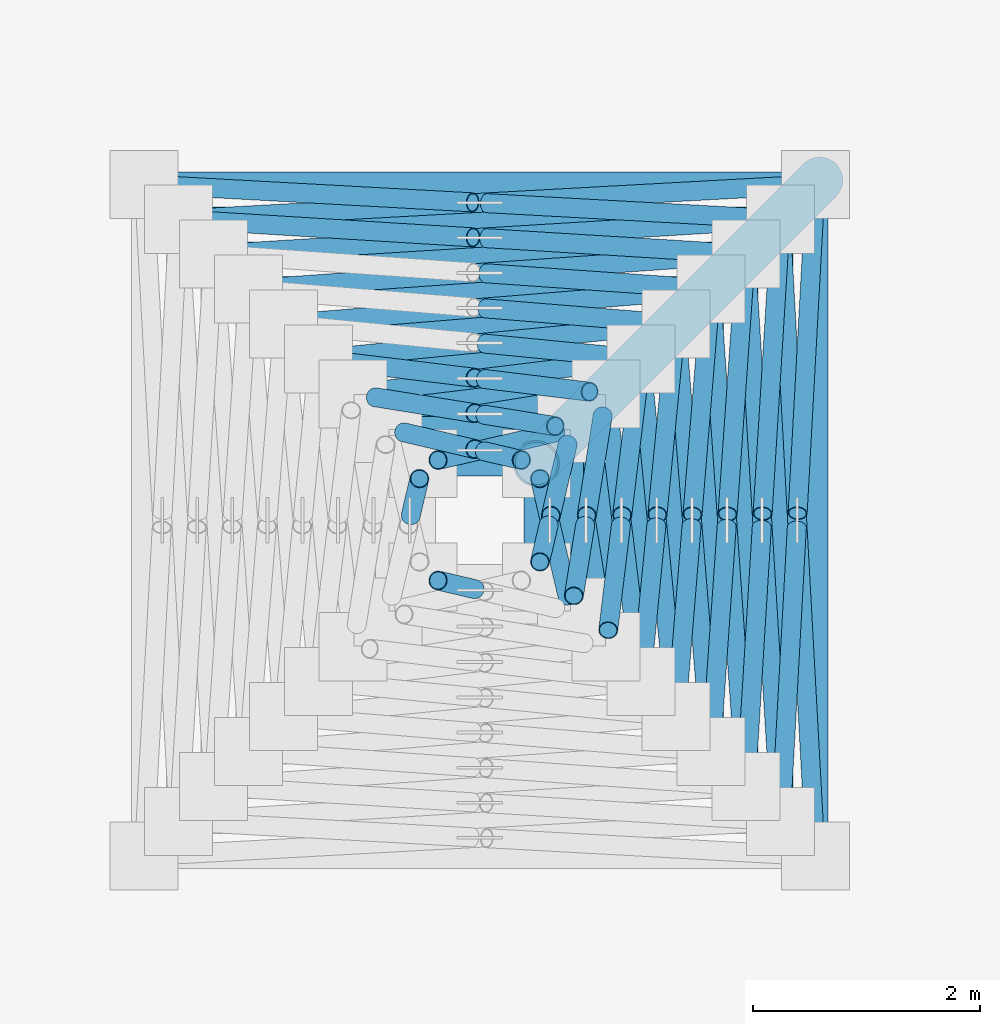
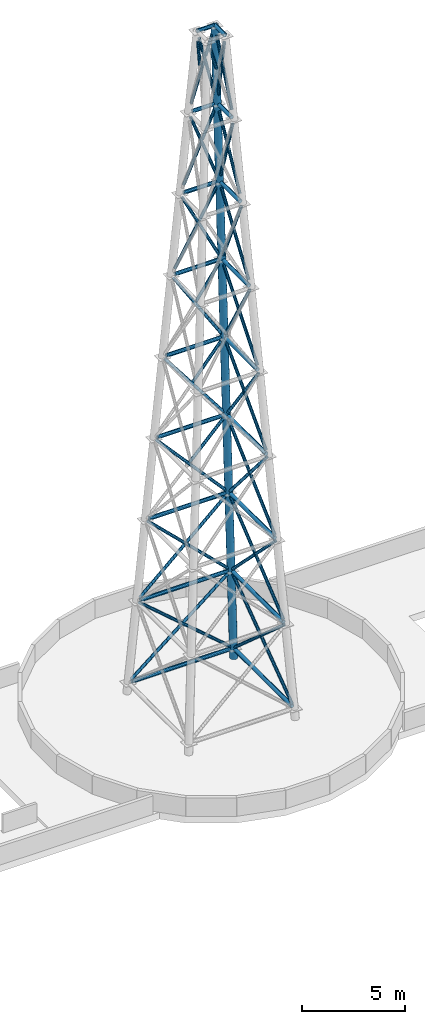
# One storey, part 2 of 6: 66 members.
"""IFC4 building model written with IfcOpenShell, lengths in metres."""

from ifc_helpers import new_model, si_unit, direction, frame, origin, origin_2d, place, context, subcontext, project, spatial, hollow_circle, extrude, source, transform, mapped, material, material_profile, profile_set, type_object, element, save


model = new_model("IFC4")

# Units and contexts
model_context = context("Model", 3, precision=1e-05, world=origin(), true_north=direction((0.0, 1.0)))
body_context = subcontext(model_context, "Body", "Model", "MODEL_VIEW")
ifc_project = project(units=[si_unit("LENGTHUNIT", "METRE"), si_unit("AREAUNIT", "SQUARE_METRE"), si_unit("VOLUMEUNIT", "CUBIC_METRE"), si_unit("PLANEANGLEUNIT", "RADIAN"), si_unit("MASSUNIT", "GRAM", prefix="KILO")], contexts=[model_context])

# Site, building, storey
site_placement = place(None, origin())
site = spatial("IfcSite", under=ifc_project, at=site_placement, CompositionType="ELEMENT")
building_placement = place(site_placement, origin())
building = spatial("IfcBuilding", under=site, at=building_placement, Name="Kilnfold Tower and Market Hall", CompositionType="ELEMENT")
storey_placement = place(building_placement, frame((0.0, 0.0, 328.800048828125)))
storey = spatial("IfcBuildingStorey", under=building, at=storey_placement, Name="ROOF", CompositionType="ELEMENT", Elevation=328.800048828125)

# Members
ifc_material_1 = material(Name="Steel S355", Category="steel")
ifc_material_profile_1 = material_profile(ifc_material_1, hollow_circle(Radius=0.203125, WallThickness=0.01611328125, at=origin_2d()), Name="CHS 406.4x16")
ifc_profile_set_1 = profile_set([ifc_material_profile_1], Name="Steel S355")
member_type_1 = type_object("IfcMemberType", Name="MAST LEG CHS 406.4X16", PredefinedType="USERDEFINED", material=ifc_profile_set_1)
shared_shape_1 = source(origin(), body_context, "Body", "SweptSolid", [
    extrude(hollow_circle(Radius=0.203125, WallThickness=0.01611328125, at=origin_2d()), origin(), (0.0, 0.0, 1.0), 40.156005859375),
])
member_1_placement = place(storey_placement, frame((4.0, 18.0, 0.0), z_axis=(-0.062257280636, -0.062257280636, 0.996116490184), x_axis=(0.707106781187, -0.707106781187, 0.0)))
element("IfcMember", 1, at=member_1_placement, inside=storey, type_object=member_type_1, Name="Mast leg 3", ObjectType="MAST", PredefinedType="USERDEFINED", context=body_context, shape_type="MappedRepresentation", body=[
    mapped(shared_shape_1, transform((0.0, 0.0, 0.0))),
])
ifc_material_2 = material(Name="Steel S355", Category="steel")
ifc_material_profile_2 = material_profile(ifc_material_2, hollow_circle(Radius=0.109619140625, WallThickness=0.010009765625, at=origin_2d()), Name="CHS 219.1x10")
ifc_profile_set_2 = profile_set([ifc_material_profile_2], Name="Steel S355")
member_type_2 = type_object("IfcMemberType", Name="CROWN FRAME CHS 219.1X10", PredefinedType="USERDEFINED", material=ifc_profile_set_2)
shared_shape_2 = source(origin(), body_context, "Body", "SweptSolid", [
    extrude(hollow_circle(Radius=0.109619140625, WallThickness=0.010009765625, at=origin_2d()), origin(), (0.0, 0.0, 1.0), 5.5224609375),
])
for number, where, z_axis, x_axis, name in (
    (2, (3.96240234375, 12.23876953125, 0.599853515625), (0.0, 1.0, 0.0), (-1.0, 0.0, 0.0), "Crown frame ring 0 2"),
    (3, (3.76123046875, 17.96240234375, 0.599853515625), (-1.0, 0.0, 0.0), (0.0, -1.0, 0.0), "Crown frame ring 0 3"),
):
    element("IfcMember", number, at=place(storey_placement, frame(where, z_axis=z_axis, x_axis=x_axis)), inside=storey, type_object=member_type_2, Name=name, ObjectType="CROWN FRAME", PredefinedType="USERDEFINED", context=body_context, shape_type="MappedRepresentation", body=[
        mapped(shared_shape_2, transform((0.0, 0.0, 0.0))),
    ])
ifc_material_3 = material(Name="Steel S355", Category="steel")
ifc_material_profile_3 = material_profile(ifc_material_3, hollow_circle(Radius=0.109619140625, WallThickness=0.010009765625, at=origin_2d()), Name="CHS 219.1x10")
ifc_profile_set_3 = profile_set([ifc_material_profile_3], Name="Steel S355")
member_type_3 = type_object("IfcMemberType", Name="MAST RING CHS 219.1X10", PredefinedType="USERDEFINED", material=ifc_profile_set_3)
shared_shape_3 = source(origin(), body_context, "Body", "SweptSolid", [
    extrude(hollow_circle(Radius=0.109619140625, WallThickness=0.010009765625, at=origin_2d()), origin(), (0.0, 0.0, 1.0), 4.9072265625),
])
for number, where, z_axis, x_axis, name in (
    (4, (3.65478515625, 12.54638671875, 5.52490234375), (0.0, 1.0, 0.0), (-1.0, 0.0, 0.0), "Mast ring 1 2"),
    (5, (3.45361328125, 17.65478515625, 5.52490234375), (-1.0, 0.0, 0.0), (0.0, -1.0, 0.0), "Mast ring 1 3"),
):
    element("IfcMember", number, at=place(storey_placement, frame(where, z_axis=z_axis, x_axis=x_axis)), inside=storey, type_object=member_type_3, Name=name, ObjectType="MAST", PredefinedType="USERDEFINED", context=body_context, shape_type="MappedRepresentation", body=[
        mapped(shared_shape_3, transform((0.0, 0.0, 0.0))),
    ])
shared_shape_4 = source(origin(), body_context, "Body", "SweptSolid", [
    extrude(hollow_circle(Radius=0.109619140625, WallThickness=0.010009765625, at=origin_2d()), origin(), (0.0, 0.0, 1.0), 4.29150390625),
])
for number, where, z_axis, x_axis, name in (
    (6, (3.346923828125, 12.854248046875, 10.449951171875), (0.0, 1.0, 0.0), (-1.0, 0.0, 0.0), "Mast ring 2 2"),
    (7, (3.145751953125, 17.346923828125, 10.449951171875), (-1.0, 0.0, 0.0), (0.0, -1.0, 0.0), "Mast ring 2 3"),
):
    element("IfcMember", number, at=place(storey_placement, frame(where, z_axis=z_axis, x_axis=x_axis)), inside=storey, type_object=member_type_3, Name=name, ObjectType="MAST", PredefinedType="USERDEFINED", context=body_context, shape_type="MappedRepresentation", body=[
        mapped(shared_shape_4, transform((0.0, 0.0, 0.0))),
    ])
shared_shape_5 = source(origin(), body_context, "Body", "SweptSolid", [
    extrude(hollow_circle(Radius=0.109619140625, WallThickness=0.010009765625, at=origin_2d()), origin(), (0.0, 0.0, 1.0), 3.67578125),
])
for number, where, z_axis, x_axis, name in (
    (8, (3.0390625, 13.162109375, 15.375), (0.0, 1.0, 0.0), (-1.0, 0.0, 0.0), "Mast ring 3 2"),
    (9, (2.837890625, 17.0390625, 15.375), (-1.0, 0.0, 0.0), (0.0, -1.0, 0.0), "Mast ring 3 3"),
):
    element("IfcMember", number, at=place(storey_placement, frame(where, z_axis=z_axis, x_axis=x_axis)), inside=storey, type_object=member_type_3, Name=name, ObjectType="MAST", PredefinedType="USERDEFINED", context=body_context, shape_type="MappedRepresentation", body=[
        mapped(shared_shape_5, transform((0.0, 0.0, 0.0))),
    ])
shared_shape_6 = source(origin(), body_context, "Body", "SweptSolid", [
    extrude(hollow_circle(Radius=0.109619140625, WallThickness=0.010009765625, at=origin_2d()), origin(), (0.0, 0.0, 1.0), 3.06005859375),
])
for number, where, z_axis, x_axis, name in (
    (10, (2.731201171875, 13.469970703125, 20.300048828125), (0.0, 1.0, 0.0), (-1.0, 0.0, 0.0), "Mast ring 4 2"),
    (11, (2.530029296875, 16.731201171875, 20.300048828125), (-1.0, 0.0, 0.0), (0.0, -1.0, 0.0), "Mast ring 4 3"),
):
    element("IfcMember", number, at=place(storey_placement, frame(where, z_axis=z_axis, x_axis=x_axis)), inside=storey, type_object=member_type_3, Name=name, ObjectType="MAST", PredefinedType="USERDEFINED", context=body_context, shape_type="MappedRepresentation", body=[
        mapped(shared_shape_6, transform((0.0, 0.0, 0.0))),
    ])
shared_shape_7 = source(origin(), body_context, "Body", "SweptSolid", [
    extrude(hollow_circle(Radius=0.109619140625, WallThickness=0.010009765625, at=origin_2d()), origin(), (0.0, 0.0, 1.0), 2.4443359375),
])
for number, where, z_axis, x_axis, name in (
    (12, (2.42333984375, 13.77783203125, 25.224853515625), (0.0, 1.0, 0.0), (-1.0, 0.0, 0.0), "Mast ring 5 2"),
    (13, (2.22216796875, 16.42333984375, 25.224853515625), (-1.0, 0.0, 0.0), (0.0, -1.0, 0.0), "Mast ring 5 3"),
):
    element("IfcMember", number, at=place(storey_placement, frame(where, z_axis=z_axis, x_axis=x_axis)), inside=storey, type_object=member_type_3, Name=name, ObjectType="MAST", PredefinedType="USERDEFINED", context=body_context, shape_type="MappedRepresentation", body=[
        mapped(shared_shape_7, transform((0.0, 0.0, 0.0))),
    ])
shared_shape_8 = source(origin(), body_context, "Body", "SweptSolid", [
    extrude(hollow_circle(Radius=0.109619140625, WallThickness=0.010009765625, at=origin_2d()), origin(), (0.0, 0.0, 1.0), 1.82861328125),
])
for number, where, z_axis, x_axis, name in (
    (14, (2.115478515625, 14.085693359375, 30.14990234375), (0.0, 1.0, 0.0), (-1.0, 0.0, 0.0), "Mast ring 6 2"),
    (15, (1.914306640625, 16.115478515625, 30.14990234375), (-1.0, 0.0, 0.0), (0.0, -1.0, 0.0), "Mast ring 6 3"),
):
    element("IfcMember", number, at=place(storey_placement, frame(where, z_axis=z_axis, x_axis=x_axis)), inside=storey, type_object=member_type_3, Name=name, ObjectType="MAST", PredefinedType="USERDEFINED", context=body_context, shape_type="MappedRepresentation", body=[
        mapped(shared_shape_8, transform((0.0, 0.0, 0.0))),
    ])
shared_shape_9 = source(origin(), body_context, "Body", "SweptSolid", [
    extrude(hollow_circle(Radius=0.109619140625, WallThickness=0.010009765625, at=origin_2d()), origin(), (0.0, 0.0, 1.0), 1.21337890625),
])
for number, where, z_axis, x_axis, name in (
    (16, (1.807861328125, 14.393310546875, 35.074951171875), (0.0, 1.0, 0.0), (-1.0, 0.0, 0.0), "Mast ring 7 2"),
    (17, (1.606689453125, 15.807861328125, 35.074951171875), (-1.0, 0.0, 0.0), (0.0, -1.0, 0.0), "Mast ring 7 3"),
):
    element("IfcMember", number, at=place(storey_placement, frame(where, z_axis=z_axis, x_axis=x_axis)), inside=storey, type_object=member_type_3, Name=name, ObjectType="MAST", PredefinedType="USERDEFINED", context=body_context, shape_type="MappedRepresentation", body=[
        mapped(shared_shape_9, transform((0.0, 0.0, 0.0))),
    ])
shared_shape_10 = source(origin(), body_context, "Body", "SweptSolid", [
    extrude(hollow_circle(Radius=0.109619140625, WallThickness=0.010009765625, at=origin_2d()), origin(), (0.0, 0.0, 1.0), 1.0),
])
for number, where, z_axis, x_axis, name in (
    (18, (1.5, 14.5, 40.0), (0.0, 1.0, 0.0), (-1.0, 0.0, 0.0), "Mast ring 8 2"),
    (19, (1.5, 15.5, 40.0), (-1.0, 0.0, 0.0), (0.0, -1.0, 0.0), "Mast ring 8 3"),
):
    element("IfcMember", number, at=place(storey_placement, frame(where, z_axis=z_axis, x_axis=x_axis)), inside=storey, type_object=member_type_3, Name=name, ObjectType="MAST", PredefinedType="USERDEFINED", context=body_context, shape_type="MappedRepresentation", body=[
        mapped(shared_shape_10, transform((0.0, 0.0, 0.0))),
    ])
ifc_material_4 = material(Name="Steel S355", Category="steel")
ifc_material_profile_4 = material_profile(ifc_material_4, hollow_circle(Radius=0.084228515625, WallThickness=0.008056640625, at=origin_2d()), Name="CHS 168.3x8")
ifc_profile_set_4 = profile_set([ifc_material_profile_4], Name="Steel S355")
member_type_4 = type_object("IfcMemberType", Name="MAST BRACE CHS 168.3X8", PredefinedType="USERDEFINED", material=ifc_profile_set_4)
shared_shape_11 = source(origin(), body_context, "Body", "SweptSolid", [
    extrude(hollow_circle(Radius=0.084228515625, WallThickness=0.008056640625, at=origin_2d()), origin(), (0.0, 0.0, 1.0), 7.040283203125),
])
for number, where, z_axis, x_axis, name in (
    (20, (3.952880859375, 12.21044921875, 0.751708984375), (-0.041161933959, 0.751283318633, 0.658694975187), (-0.998502462715, -0.054706781594, 0.0), "Mast brace 1.2"),
    (21, (3.78955078125, 17.952880859375, 0.751708984375), (-0.751283318633, -0.041161933959, 0.658694975187), (0.054706781594, -0.998502462715, 0.0), "Mast brace 1.3"),
):
    element("IfcMember", number, at=place(storey_placement, frame(where, z_axis=z_axis, x_axis=x_axis)), inside=storey, type_object=member_type_4, Name=name, ObjectType="MAST", PredefinedType="USERDEFINED", context=body_context, shape_type="MappedRepresentation", body=[
        mapped(shared_shape_11, transform((0.0, 0.0, 0.0))),
    ])
shared_shape_12 = source(origin(), body_context, "Body", "SweptSolid", [
    extrude(hollow_circle(Radius=0.084228515625, WallThickness=0.008056640625, at=origin_2d()), origin(), (0.0, 0.0, 1.0), 3.630126953125),
])
for number, where, z_axis, x_axis, name in (
    (22, (3.952880859375, 17.78955078125, 0.751708984375), (-0.041092220407, -0.751294916807, 0.658686099293), (0.998507565638, -0.054613563925, 0.0), "Mast brace 1.2 lower half"),
    (23, (-1.78955078125, 17.952880859375, 0.751708984375), (0.751294916807, -0.041092220407, 0.658686099293), (0.054613563925, 0.998507565638, 0.0), "Mast brace 1.3 lower half"),
):
    element("IfcMember", number, at=place(storey_placement, frame(where, z_axis=z_axis, x_axis=x_axis)), inside=storey, type_object=member_type_4, Name=name, ObjectType="MAST", PredefinedType="USERDEFINED", context=body_context, shape_type="MappedRepresentation", body=[
        mapped(shared_shape_12, transform((0.0, 0.0, 0.0))),
    ])
shared_shape_13 = source(origin(), body_context, "Body", "SweptSolid", [
    extrude(hollow_circle(Radius=0.084228515625, WallThickness=0.008056640625, at=origin_2d()), origin(), (0.0, 0.0, 1.0), 3.24462890625),
])
for number, where, z_axis, x_axis, name in (
    (24, (3.796630859375, 14.937744140625, 3.251953125), (-0.041160178109, -0.751267309401, 0.658713344), (0.998502526511, -0.054705617188, 0.0), "Mast brace 1.2 upper half"),
    (25, (1.062255859375, 17.796630859375, 3.251953125), (0.751267309401, -0.041160178109, 0.658713344), (0.054705617188, 0.998502526511, 0.0), "Mast brace 1.3 upper half"),
):
    element("IfcMember", number, at=place(storey_placement, frame(where, z_axis=z_axis, x_axis=x_axis)), inside=storey, type_object=member_type_4, Name=name, ObjectType="MAST", PredefinedType="USERDEFINED", context=body_context, shape_type="MappedRepresentation", body=[
        mapped(shared_shape_13, transform((0.0, 0.0, 0.0))),
    ])
shared_shape_14 = source(origin(), body_context, "Body", "SweptSolid", [
    extrude(hollow_circle(Radius=0.084228515625, WallThickness=0.008056640625, at=origin_2d()), origin(), (0.0, 0.0, 1.0), 6.56494140625),
])
for number, where, z_axis, x_axis, name in (
    (26, (3.64404296875, 12.51953125, 5.696533203125), (-0.043807605792, 0.711855000061, 0.700958880793), (-0.998111771563, -0.06142386725, 0.0), "Mast brace 2.2"),
    (27, (3.48046875, 17.64404296875, 5.696533203125), (-0.711855000061, -0.043807605792, 0.700958880793), (0.06142386725, -0.998111771563, 0.0), "Mast brace 2.3"),
):
    element("IfcMember", number, at=place(storey_placement, frame(where, z_axis=z_axis, x_axis=x_axis)), inside=storey, type_object=member_type_4, Name=name, ObjectType="MAST", PredefinedType="USERDEFINED", context=body_context, shape_type="MappedRepresentation", body=[
        mapped(shared_shape_14, transform((0.0, 0.0, 0.0))),
    ])
shared_shape_15 = source(origin(), body_context, "Body", "SweptSolid", [
    extrude(hollow_circle(Radius=0.084228515625, WallThickness=0.008056640625, at=origin_2d()), origin(), (0.0, 0.0, 1.0), 3.40234375),
])
for number, where, z_axis, x_axis, name in (
    (28, (3.64404296875, 17.48046875, 5.696533203125), (-0.043843172288, -0.71182368101, 0.700988461672), (0.998108547028, -0.061476242161, 0.0), "Mast brace 2.2 lower half"),
    (29, (-1.48046875, 17.64404296875, 5.696533203125), (0.71182368101, -0.043843172288, 0.700988461672), (0.061476242161, 0.998108547028, 0.0), "Mast brace 2.3 lower half"),
):
    element("IfcMember", number, at=place(storey_placement, frame(where, z_axis=z_axis, x_axis=x_axis)), inside=storey, type_object=member_type_4, Name=name, ObjectType="MAST", PredefinedType="USERDEFINED", context=body_context, shape_type="MappedRepresentation", body=[
        mapped(shared_shape_15, transform((0.0, 0.0, 0.0))),
    ])
shared_shape_16 = source(origin(), body_context, "Body", "SweptSolid", [
    extrude(hollow_circle(Radius=0.084228515625, WallThickness=0.008056640625, at=origin_2d()), origin(), (0.0, 0.0, 1.0), 2.998291015625),
])
for number, where, z_axis, x_axis, name in (
    (30, (3.48779296875, 14.94140625, 8.196533203125), (-0.043806937087, -0.71182201489, 0.700992418919), (0.998111654544, -0.061425768719, 0.0), "Mast brace 2.2 upper half"),
    (31, (1.05859375, 17.48779296875, 8.196533203125), (0.71182201489, -0.043806937087, 0.700992418919), (0.061425768719, 0.998111654544, 0.0), "Mast brace 2.3 upper half"),
):
    element("IfcMember", number, at=place(storey_placement, frame(where, z_axis=z_axis, x_axis=x_axis)), inside=storey, type_object=member_type_4, Name=name, ObjectType="MAST", PredefinedType="USERDEFINED", context=body_context, shape_type="MappedRepresentation", body=[
        mapped(shared_shape_16, transform((0.0, 0.0, 0.0))),
    ])
shared_shape_17 = source(origin(), body_context, "Body", "SweptSolid", [
    extrude(hollow_circle(Radius=0.084228515625, WallThickness=0.008056640625, at=origin_2d()), origin(), (0.0, 0.0, 1.0), 6.107177734375),
])
for number, where, z_axis, x_axis, name in (
    (32, (3.33447265625, 12.8291015625, 10.6474609375), (-0.046612026225, 0.664321313731, 0.745992299647), (-0.997547496459, -0.069992801834, 0.0), "Mast brace 3.2"),
    (33, (3.1708984375, 17.33447265625, 10.6474609375), (-0.664321313731, -0.046612026225, 0.745992299647), (0.069992801834, -0.997547496459, 0.0), "Mast brace 3.3"),
):
    element("IfcMember", number, at=place(storey_placement, frame(where, z_axis=z_axis, x_axis=x_axis)), inside=storey, type_object=member_type_4, Name=name, ObjectType="MAST", PredefinedType="USERDEFINED", context=body_context, shape_type="MappedRepresentation", body=[
        mapped(shared_shape_17, transform((0.0, 0.0, 0.0))),
    ])
shared_shape_18 = source(origin(), body_context, "Body", "SweptSolid", [
    extrude(hollow_circle(Radius=0.084228515625, WallThickness=0.008056640625, at=origin_2d()), origin(), (0.0, 0.0, 1.0), 3.18505859375),
])
member_2_placement = place(storey_placement, frame((3.33447265625, 17.1708984375, 10.6474609375), z_axis=(-0.04660428743, -0.664341051246, 0.745975206037), x_axis=(0.997548452898, -0.069979169189, 0.0)))
element("IfcMember", 34, at=member_2_placement, inside=storey, type_object=member_type_4, Name="Mast brace 3.2 lower half", ObjectType="MAST", PredefinedType="USERDEFINED", context=body_context, shape_type="MappedRepresentation", body=[
    mapped(shared_shape_18, transform((0.0, 0.0, 0.0))),
])
shared_shape_19 = source(origin(), body_context, "Body", "SweptSolid", [
    extrude(hollow_circle(Radius=0.084228515625, WallThickness=0.008056640625, at=origin_2d()), origin(), (0.0, 0.0, 1.0), 2.756591796875),
])
for number, where, z_axis, x_axis, name in (
    (35, (3.17822265625, 14.945068359375, 13.14697265625), (-0.046585424572, -0.664329410108, 0.745986751278), (0.997550344182, -0.069952203845, 0.0), "Mast brace 3.2 upper half"),
    (36, (1.054931640625, 17.17822265625, 13.14697265625), (0.664329410108, -0.046585424572, 0.745986751278), (0.069952203845, 0.997550344182, 0.0), "Mast brace 3.3 upper half"),
):
    element("IfcMember", number, at=place(storey_placement, frame(where, z_axis=z_axis, x_axis=x_axis)), inside=storey, type_object=member_type_4, Name=name, ObjectType="MAST", PredefinedType="USERDEFINED", context=body_context, shape_type="MappedRepresentation", body=[
        mapped(shared_shape_19, transform((0.0, 0.0, 0.0))),
    ])
shared_shape_20 = source(origin(), body_context, "Body", "SweptSolid", [
    extrude(hollow_circle(Radius=0.084228515625, WallThickness=0.008056640625, at=origin_2d()), origin(), (0.0, 0.0, 1.0), 5.667724609375),
])
for number, where, z_axis, x_axis, name in (
    (37, (3.0244140625, 13.138916015625, 15.607666015625), (-0.049536008033, 0.607139159327, 0.793049951214), (-0.996688125636, -0.081319002801, 0.0), "Mast brace 4.2"),
    (38, (2.861083984375, 17.0244140625, 15.607666015625), (-0.607139159327, -0.049536008033, 0.793049951214), (0.081319002801, -0.996688125636, 0.0), "Mast brace 4.3"),
):
    element("IfcMember", number, at=place(storey_placement, frame(where, z_axis=z_axis, x_axis=x_axis)), inside=storey, type_object=member_type_4, Name=name, ObjectType="MAST", PredefinedType="USERDEFINED", context=body_context, shape_type="MappedRepresentation", body=[
        mapped(shared_shape_20, transform((0.0, 0.0, 0.0))),
    ])
shared_shape_21 = source(origin(), body_context, "Body", "SweptSolid", [
    extrude(hollow_circle(Radius=0.084228515625, WallThickness=0.008056640625, at=origin_2d()), origin(), (0.0, 0.0, 1.0), 2.97998046875),
])
member_3_placement = place(storey_placement, frame((3.0244140625, 16.861083984375, 15.607666015625), z_axis=(-0.049564970592, -0.607150408364, 0.793039529478), x_axis=(0.99668439325, -0.081364735922, 0.0)))
element("IfcMember", 39, at=member_3_placement, inside=storey, type_object=member_type_4, Name="Mast brace 4.2 lower half", ObjectType="MAST", PredefinedType="USERDEFINED", context=body_context, shape_type="MappedRepresentation", body=[
    mapped(shared_shape_21, transform((0.0, 0.0, 0.0))),
])
shared_shape_22 = source(origin(), body_context, "Body", "SweptSolid", [
    extrude(hollow_circle(Radius=0.084228515625, WallThickness=0.008056640625, at=origin_2d()), origin(), (0.0, 0.0, 1.0), 2.517578125),
])
for number, where, z_axis, x_axis, name in (
    (40, (2.868408203125, 14.9482421875, 18.10595703125), (-0.049556000714, -0.607085253367, 0.793089968376), (0.996684879309, -0.081358781682, 0.0), "Mast brace 4.2 upper half"),
    (41, (1.0517578125, 16.868408203125, 18.10595703125), (0.607085253367, -0.049556000714, 0.793089968376), (0.081358781682, 0.996684879309, 0.0), "Mast brace 4.3 upper half"),
):
    element("IfcMember", number, at=place(storey_placement, frame(where, z_axis=z_axis, x_axis=x_axis)), inside=storey, type_object=member_type_4, Name=name, ObjectType="MAST", PredefinedType="USERDEFINED", context=body_context, shape_type="MappedRepresentation", body=[
        mapped(shared_shape_22, transform((0.0, 0.0, 0.0))),
    ])
shared_shape_23 = source(origin(), body_context, "Body", "SweptSolid", [
    extrude(hollow_circle(Radius=0.084228515625, WallThickness=0.008056640625, at=origin_2d()), origin(), (0.0, 0.0, 1.0), 5.243896484375),
])
for number, where, z_axis, x_axis, name in (
    (42, (2.713623046875, 13.449951171875, 20.582763671875), (-0.052562694758, 0.53861631147, 0.840910002401), (-0.995271997425, -0.097126984622, 0.0), "Mast brace 5.2"),
    (43, (2.550048828125, 16.713623046875, 20.582763671875), (-0.53861631147, -0.052562694758, 0.840910002401), (0.097126984622, -0.995271997425, 0.0), "Mast brace 5.3"),
):
    element("IfcMember", number, at=place(storey_placement, frame(where, z_axis=z_axis, x_axis=x_axis)), inside=storey, type_object=member_type_4, Name=name, ObjectType="MAST", PredefinedType="USERDEFINED", context=body_context, shape_type="MappedRepresentation", body=[
        mapped(shared_shape_23, transform((0.0, 0.0, 0.0))),
    ])
shared_shape_24 = source(origin(), body_context, "Body", "SweptSolid", [
    extrude(hollow_circle(Radius=0.084228515625, WallThickness=0.008056640625, at=origin_2d()), origin(), (0.0, 0.0, 1.0), 2.787353515625),
])
member_4_placement = place(storey_placement, frame((2.713623046875, 16.550048828125, 20.582763671875), z_axis=(-0.052552905125, -0.538579689355, 0.840934070173), x_axis=(0.995273107728, -0.097115606544, 0.0)))
element("IfcMember", 44, at=member_4_placement, inside=storey, type_object=member_type_4, Name="Mast brace 5.2 lower half", ObjectType="MAST", PredefinedType="USERDEFINED", context=body_context, shape_type="MappedRepresentation", body=[
    mapped(shared_shape_24, transform((0.0, 0.0, 0.0))),
])
shared_shape_25 = source(origin(), body_context, "Body", "SweptSolid", [
    extrude(hollow_circle(Radius=0.084228515625, WallThickness=0.008056640625, at=origin_2d()), origin(), (0.0, 0.0, 1.0), 2.275634765625),
])
for number, where, z_axis, x_axis, name in (
    (45, (2.5576171875, 14.951171875, 23.078857421875), (-0.052571371975, -0.538588341456, 0.840927374567), (0.995269959563, -0.097147864579, 0.0), "Mast brace 5.2 upper half"),
    (46, (1.048828125, 16.5576171875, 23.078857421875), (0.538588341456, -0.052571371975, 0.840927374567), (0.097147864579, 0.995269959563, 0.0), "Mast brace 5.3 upper half"),
):
    element("IfcMember", number, at=place(storey_placement, frame(where, z_axis=z_axis, x_axis=x_axis)), inside=storey, type_object=member_type_4, Name=name, ObjectType="MAST", PredefinedType="USERDEFINED", context=body_context, shape_type="MappedRepresentation", body=[
        mapped(shared_shape_25, transform((0.0, 0.0, 0.0))),
    ])
shared_shape_26 = source(origin(), body_context, "Body", "SweptSolid", [
    extrude(hollow_circle(Radius=0.084228515625, WallThickness=0.008056640625, at=origin_2d()), origin(), (0.0, 0.0, 1.0), 4.823974609375),
])
for number, where, z_axis, x_axis, name in (
    (47, (2.40087890625, 13.7626953125, 25.5859375), (-0.055469746747, 0.457524188495, 0.887465336865), (-0.992730601515, -0.1203576039, 0.0), "Mast brace 6.2"),
    (48, (2.2373046875, 16.40087890625, 25.5859375), (-0.457524188495, -0.055469746747, 0.887465336865), (0.1203576039, -0.992730601515, 0.0), "Mast brace 6.3"),
):
    element("IfcMember", number, at=place(storey_placement, frame(where, z_axis=z_axis, x_axis=x_axis)), inside=storey, type_object=member_type_4, Name=name, ObjectType="MAST", PredefinedType="USERDEFINED", context=body_context, shape_type="MappedRepresentation", body=[
        mapped(shared_shape_26, transform((0.0, 0.0, 0.0))),
    ])
shared_shape_27 = source(origin(), body_context, "Body", "SweptSolid", [
    extrude(hollow_circle(Radius=0.084228515625, WallThickness=0.008056640625, at=origin_2d()), origin(), (0.0, 0.0, 1.0), 2.603271484375),
])
for number, where, z_axis, x_axis, name in (
    (49, (2.40087890625, 16.2373046875, 25.5859375), (-0.055424639011, -0.457558060464, 0.88745069198), (0.992743354077, -0.120252371851, 0.0), "Mast brace 6.2 lower half"),
    (50, (-0.2373046875, 16.40087890625, 25.5859375), (0.457558060464, -0.055424639011, 0.88745069198), (0.120252371851, 0.992743354077, 0.0), "Mast brace 6.3 lower half"),
):
    element("IfcMember", number, at=place(storey_placement, frame(where, z_axis=z_axis, x_axis=x_axis)), inside=storey, type_object=member_type_4, Name=name, ObjectType="MAST", PredefinedType="USERDEFINED", context=body_context, shape_type="MappedRepresentation", body=[
        mapped(shared_shape_27, transform((0.0, 0.0, 0.0))),
    ])
shared_shape_28 = source(origin(), body_context, "Body", "SweptSolid", [
    extrude(hollow_circle(Radius=0.084228515625, WallThickness=0.008056640625, at=origin_2d()), origin(), (0.0, 0.0, 1.0), 2.0185546875),
])
for number, where, z_axis, x_axis, name in (
    (51, (2.245361328125, 14.953857421875, 28.075439453125), (-0.055511914213, -0.457519763548, 0.887464981474), (0.992719526244, -0.12044891952, 0.0), "Mast brace 6.2 upper half"),
    (52, (1.046142578125, 16.245361328125, 28.075439453125), (0.457519763548, -0.055511914213, 0.887464981474), (0.12044891952, 0.992719526244, 0.0), "Mast brace 6.3 upper half"),
):
    element("IfcMember", number, at=place(storey_placement, frame(where, z_axis=z_axis, x_axis=x_axis)), inside=storey, type_object=member_type_4, Name=name, ObjectType="MAST", PredefinedType="USERDEFINED", context=body_context, shape_type="MappedRepresentation", body=[
        mapped(shared_shape_28, transform((0.0, 0.0, 0.0))),
    ])
shared_shape_29 = source(origin(), body_context, "Body", "SweptSolid", [
    extrude(hollow_circle(Radius=0.084228515625, WallThickness=0.008056640625, at=origin_2d()), origin(), (0.0, 0.0, 1.0), 4.3720703125),
])
for number, where, z_axis, x_axis, name in (
    (53, (2.08447265625, 14.0791015625, 30.6484375), (-0.05812938939, 0.363183043798, 0.929902710388), (-0.987432103971, -0.158043791549, 0.0), "Mast brace 7.2"),
    (54, (1.9208984375, 16.08447265625, 30.6484375), (-0.363183043798, -0.05812938939, 0.929902710388), (0.158043791549, -0.987432103971, 0.0), "Mast brace 7.3"),
):
    element("IfcMember", number, at=place(storey_placement, frame(where, z_axis=z_axis, x_axis=x_axis)), inside=storey, type_object=member_type_4, Name=name, ObjectType="MAST", PredefinedType="USERDEFINED", context=body_context, shape_type="MappedRepresentation", body=[
        mapped(shared_shape_29, transform((0.0, 0.0, 0.0))),
    ])
shared_shape_30 = source(origin(), body_context, "Body", "SweptSolid", [
    extrude(hollow_circle(Radius=0.084228515625, WallThickness=0.008056640625, at=origin_2d()), origin(), (0.0, 0.0, 1.0), 2.414306640625),
])
for number, where, z_axis, x_axis, name in (
    (55, (2.08447265625, 15.9208984375, 30.6484375), (-0.058145413799, -0.363130749483, 0.929922130952), (0.987421750089, -0.158108467363, 0.0), "Mast brace 7.2 lower half"),
    (56, (0.0791015625, 16.08447265625, 30.6484375), (0.363130749483, -0.058145413799, 0.929922130952), (0.158108467363, 0.987421750089, 0.0), "Mast brace 7.3 lower half"),
):
    element("IfcMember", number, at=place(storey_placement, frame(where, z_axis=z_axis, x_axis=x_axis)), inside=storey, type_object=member_type_4, Name=name, ObjectType="MAST", PredefinedType="USERDEFINED", context=body_context, shape_type="MappedRepresentation", body=[
        mapped(shared_shape_30, transform((0.0, 0.0, 0.0))),
    ])
shared_shape_31 = source(origin(), body_context, "Body", "SweptSolid", [
    extrude(hollow_circle(Radius=0.084228515625, WallThickness=0.008056640625, at=origin_2d()), origin(), (0.0, 0.0, 1.0), 1.71484375),
])
for number, where, z_axis, x_axis, name in (
    (57, (1.929931640625, 14.955810546875, 33.119384765625), (-0.05808390385, -0.363166761571, 0.929911911636), (0.987450292064, -0.157930113352, 0.0), "Mast brace 7.2 upper half"),
    (58, (1.044189453125, 15.929931640625, 33.119384765625), (0.363166761571, -0.05808390385, 0.929911911636), (0.157930113352, 0.987450292064, 0.0), "Mast brace 7.3 upper half"),
):
    element("IfcMember", number, at=place(storey_placement, frame(where, z_axis=z_axis, x_axis=x_axis)), inside=storey, type_object=member_type_4, Name=name, ObjectType="MAST", PredefinedType="USERDEFINED", context=body_context, shape_type="MappedRepresentation", body=[
        mapped(shared_shape_31, transform((0.0, 0.0, 0.0))),
    ])
shared_shape_32 = source(origin(), body_context, "Body", "SweptSolid", [
    extrude(hollow_circle(Radius=0.084228515625, WallThickness=0.008056640625, at=origin_2d()), origin(), (0.0, 0.0, 1.0), 4.044189453125),
])
for number, where, z_axis, x_axis, name in (
    (59, (1.77490234375, 14.33154296875, 35.599853515625), (-0.060247435598, 0.256202521722, 0.964743755806), (-0.973447241279, -0.22891148605, 0.0), "Mast brace 8.2"),
    (60, (1.66845703125, 15.77490234375, 35.599853515625), (-0.256202521722, -0.060247435598, 0.964743755806), (0.22891148605, -0.973447241279, 0.0), "Mast brace 8.3"),
):
    element("IfcMember", number, at=place(storey_placement, frame(where, z_axis=z_axis, x_axis=x_axis)), inside=storey, type_object=member_type_4, Name=name, ObjectType="MAST", PredefinedType="USERDEFINED", context=body_context, shape_type="MappedRepresentation", body=[
        mapped(shared_shape_32, transform((0.0, 0.0, 0.0))),
    ])
shared_shape_33 = source(origin(), body_context, "Body", "SweptSolid", [
    extrude(hollow_circle(Radius=0.084228515625, WallThickness=0.008056640625, at=origin_2d()), origin(), (0.0, 0.0, 1.0), 2.443359375),
])
for number, where, z_axis, x_axis, name in (
    (61, (1.77490234375, 15.66845703125, 35.599853515625), (-0.060252801379, -0.256199308018, 0.964744274146), (0.973442058163, -0.228933526159, 0.0), "Mast brace 8.2 lower half"),
    (62, (0.33154296875, 15.77490234375, 35.599853515625), (0.256199308018, -0.060252801379, 0.964744274146), (0.228933526159, 0.973442058163, 0.0), "Mast brace 8.3 lower half"),
):
    element("IfcMember", number, at=place(storey_placement, frame(where, z_axis=z_axis, x_axis=x_axis)), inside=storey, type_object=member_type_4, Name=name, ObjectType="MAST", PredefinedType="USERDEFINED", context=body_context, shape_type="MappedRepresentation", body=[
        mapped(shared_shape_33, transform((0.0, 0.0, 0.0))),
    ])
shared_shape_34 = source(origin(), body_context, "Body", "SweptSolid", [
    extrude(hollow_circle(Radius=0.084228515625, WallThickness=0.008056640625, at=origin_2d()), origin(), (0.0, 0.0, 1.0), 1.26904296875),
])
for number, where, z_axis, x_axis, name in (
    (63, (0.95751953125, 14.392333984375, 38.277099609375), (-0.256237165207, 0.060211886419, 0.964736774411), (-0.228754174924, -0.973484220445, 0.0), "Mast brace 8.1 upper half"),
    (64, (1.607666015625, 14.95751953125, 38.277099609375), (-0.060211886419, -0.256237165207, 0.964736774411), (0.973484220445, -0.228754174924, 0.0), "Mast brace 8.2 upper half"),
    (65, (1.04248046875, 15.607666015625, 38.277099609375), (0.256237165207, -0.060211886419, 0.964736774411), (0.228754174924, 0.973484220445, 0.0), "Mast brace 8.3 upper half"),
    (66, (0.392333984375, 15.04248046875, 38.277099609375), (0.060211886419, 0.256237165207, 0.964736774411), (-0.973484220445, 0.228754174924, 0.0), "Mast brace 8.4 upper half"),
):
    element("IfcMember", number, at=place(storey_placement, frame(where, z_axis=z_axis, x_axis=x_axis)), inside=storey, type_object=member_type_4, Name=name, ObjectType="MAST", PredefinedType="USERDEFINED", context=body_context, shape_type="MappedRepresentation", body=[
        mapped(shared_shape_34, transform((0.0, 0.0, 0.0))),
    ])

save(model, "model.ifc")
